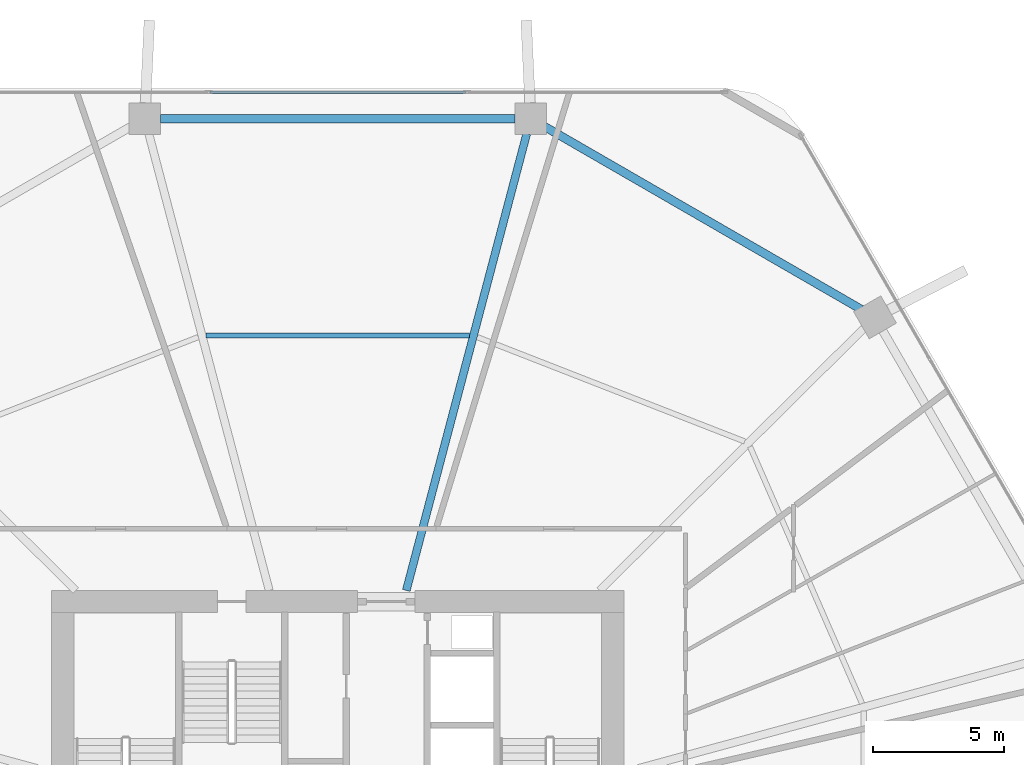
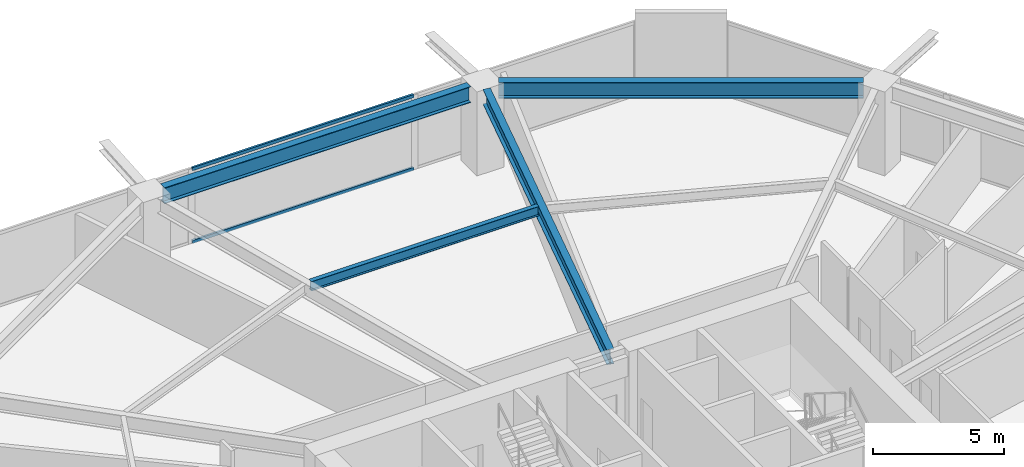
# One storey, part 18 of 25: 4 beams, 2 members, 1 element without a shape of its own.
"""IFC4 building model written with IfcOpenShell, lengths in metres."""

from ifc_helpers import new_model, si_unit, direction, frame, origin, origin_2d, place, context, subcontext, project, spatial, hollow_rectangle, i_section, extrude, material, material_profile, profile_set, type_object, element, aggregate, save


model = new_model("IFC4")

# Units and contexts
model_context = context("Model", 3, precision=1e-05, world=origin(), true_north=direction((0.0, 1.0)))
body_context = subcontext(model_context, "Body", "Model", "MODEL_VIEW")
ifc_project = project(units=[si_unit("LENGTHUNIT", "METRE"), si_unit("AREAUNIT", "SQUARE_METRE"), si_unit("VOLUMEUNIT", "CUBIC_METRE"), si_unit("PLANEANGLEUNIT", "RADIAN"), si_unit("MASSUNIT", "GRAM", prefix="KILO")], contexts=[model_context])

# Site, building, storey
site_placement = place(None, origin())
site = spatial("IfcSite", under=ifc_project, at=site_placement, CompositionType="ELEMENT")
building_placement = place(site_placement, origin())
building = spatial("IfcBuilding", under=site, at=building_placement, Name="Zuhravey Tower", CompositionType="ELEMENT")
storey_placement = place(building_placement, frame((0.0, 0.0, 45.60009765625)))
storey = spatial("IfcBuildingStorey", under=building, at=storey_placement, Name="L11", CompositionType="ELEMENT", Elevation=45.60009765625)

# Curtain wall, members
ifc_material_1 = material(Name="Thermally broken anodised aluminium", Category="aluminium")
curtain_wall_type = type_object("IfcCurtainWallType", Name="School Low-E Unitised Curtain Wall CW1", PredefinedType="NOTDEFINED", material=ifc_material_1)
curtain_wall_placement = place(storey_placement, origin())
curtain_wall = element("IfcCurtainWall", 1, at=curtain_wall_placement, inside=storey, type_object=curtain_wall_type, Name="L11 CW1 CW-L11-F2-1", PredefinedType="NOTDEFINED")
ifc_material_2 = material(Name="Anodised aluminium", Category="aluminium")
ifc_material_profile_1 = material_profile(ifc_material_2, hollow_rectangle(XDim=0.090087890625, YDim=0.14990234375, WallThickness=0.0048828125, at=origin_2d()), Name="ALU-RHS-90x150x5")
ifc_profile_set_1 = profile_set([ifc_material_profile_1], Name="Anodised aluminium")
member_type = type_object("IfcMemberType", Name="Curtain-Wall Transom 90x150", PredefinedType="USERDEFINED", material=ifc_profile_set_1)
member_1_placement = place(storey_placement, frame((31.11181640625, 60.95849609375, 0.044921875), z_axis=(1.0, 0.0, 0.0), x_axis=(0.0, 1.0, 0.0)))
member_1 = element("IfcMember", 2, at=member_1_placement, type_object=member_type, Name="CW1 transom 2.1", ObjectType="TRANSOM", PredefinedType="USERDEFINED", context=body_context, shape_type="SweptSolid", body=[
    extrude(hollow_rectangle(XDim=0.090087890625, YDim=0.14990234375, WallThickness=0.0048828125, at=origin_2d()), origin(), (0.0, 0.0, 1.0), 9.7763671875),
])
member_2_placement = place(storey_placement, frame((31.11181640625, 60.95849609375, 3.447021484375), z_axis=(1.0, 0.0, 0.0), x_axis=(0.0, 1.0, 0.0)))
member_2 = element("IfcMember", 3, at=member_2_placement, type_object=member_type, Name="CW1 transom 2.2", ObjectType="TRANSOM", PredefinedType="USERDEFINED", context=body_context, shape_type="SweptSolid", body=[
    extrude(hollow_rectangle(XDim=0.090087890625, YDim=0.14990234375, WallThickness=0.0048828125, at=origin_2d()), origin(), (0.0, 0.0, 1.0), 9.7763671875),
])
aggregate(curtain_wall, [member_1, member_2])

# Beams
ifc_material_3 = material(Name="Steel SM355", Category="steel")
ifc_material_profile_2 = material_profile(ifc_material_3, i_section(OverallWidth=0.320068359375, OverallDepth=0.75, WebThickness=0.013916015625, FlangeThickness=0.02490234375, at=origin_2d()), Name="H-750x320x14x25")
ifc_profile_set_2 = profile_set([ifc_material_profile_2], Name="Steel SM355")
beam_type_1 = type_object("IfcBeamType", Name="Perimeter Ring Beam H750x320", PredefinedType="BEAM", material=ifc_profile_set_2)
beam_1_placement = place(storey_placement, frame((55.996826171875, 52.658447265625, 3.544921875), z_axis=(-0.866029969761, 0.499992091414, 0.0), x_axis=(-0.499992091414, -0.866029969761, 0.0)))
element("IfcBeam", 4, at=beam_1_placement, inside=storey, type_object=beam_type_1, Name="L11 PB1 BM-L11-PB-02", PredefinedType="BEAM", context=body_context, shape_type="SweptSolid", body=[
    extrude(i_section(OverallWidth=0.320068359375, OverallDepth=0.75, WebThickness=0.013916015625, FlangeThickness=0.02490234375, at=origin_2d()), origin(), (0.0, 0.0, 1.0), 13.977294921875),
])
beam_2_placement = place(storey_placement, frame((42.76708984375, 59.948486328125, 3.544921875), z_axis=(-1.0, 0.0, 0.0), x_axis=(0.0, -1.0, 0.0)))
element("IfcBeam", 5, at=beam_2_placement, inside=storey, type_object=beam_type_1, Name="L11 PB1 BM-L11-PB-03", PredefinedType="BEAM", context=body_context, shape_type="SweptSolid", body=[
    extrude(i_section(OverallWidth=0.320068359375, OverallDepth=0.75, WebThickness=0.013916015625, FlangeThickness=0.02490234375, at=origin_2d()), origin(), (0.0, 0.0, 1.0), 13.5341796875),
])
ifc_material_profile_3 = material_profile(ifc_material_3, i_section(OverallWidth=0.300048828125, OverallDepth=0.699951171875, WebThickness=0.012939453125, FlangeThickness=0.02392578125, at=origin_2d()), Name="H-700x300x13x24")
ifc_profile_set_3 = profile_set([ifc_material_profile_3], Name="Steel SM355")
beam_type_2 = type_object("IfcBeamType", Name="Radial Primary Girder H700x300", PredefinedType="BEAM", material=ifc_profile_set_3)
beam_3_placement = place(storey_placement, frame((38.617919921875, 41.927978515625, 3.56982421875), z_axis=(0.254989720435, 0.966943763862, 0.0), x_axis=(-0.966943763862, 0.254989720435, 0.0)))
element("IfcBeam", 6, at=beam_3_placement, inside=storey, type_object=beam_type_2, Name="L11 RG1 BM-L11-RAD-03", PredefinedType="BEAM", context=body_context, shape_type="SweptSolid", body=[
    extrude(i_section(OverallWidth=0.300048828125, OverallDepth=0.699951171875, WebThickness=0.012939453125, FlangeThickness=0.02392578125, at=origin_2d()), origin(), (0.0, 0.0, 1.0), 18.03369140625),
])
ifc_material_profile_4 = material_profile(ifc_material_3, i_section(OverallWidth=0.199951171875, OverallDepth=0.449951171875, WebThickness=0.009033203125, FlangeThickness=0.013916015625, at=origin_2d()), Name="H-450x200x9x14")
ifc_profile_set_4 = profile_set([ifc_material_profile_4], Name="Steel SM355")
beam_type_3 = type_object("IfcBeamType", Name="Secondary Floor Joist H450x200", PredefinedType="JOIST", material=ifc_profile_set_4)
beam_4_placement = place(storey_placement, frame((41.030029296875, 51.6591796875, 3.69482421875), z_axis=(-1.0, 0.0, 0.0), x_axis=(0.0, -1.0, 0.0)))
element("IfcBeam", 7, at=beam_4_placement, inside=storey, type_object=beam_type_3, Name="L11 SJ1 BM-L11-SJ-03-1", PredefinedType="JOIST", context=body_context, shape_type="SweptSolid", body=[
    extrude(i_section(OverallWidth=0.199951171875, OverallDepth=0.449951171875, WebThickness=0.009033203125, FlangeThickness=0.013916015625, at=origin_2d()), origin(), (0.0, 0.0, 1.0), 10.06005859375),
])

save(model, "model.ifc")
